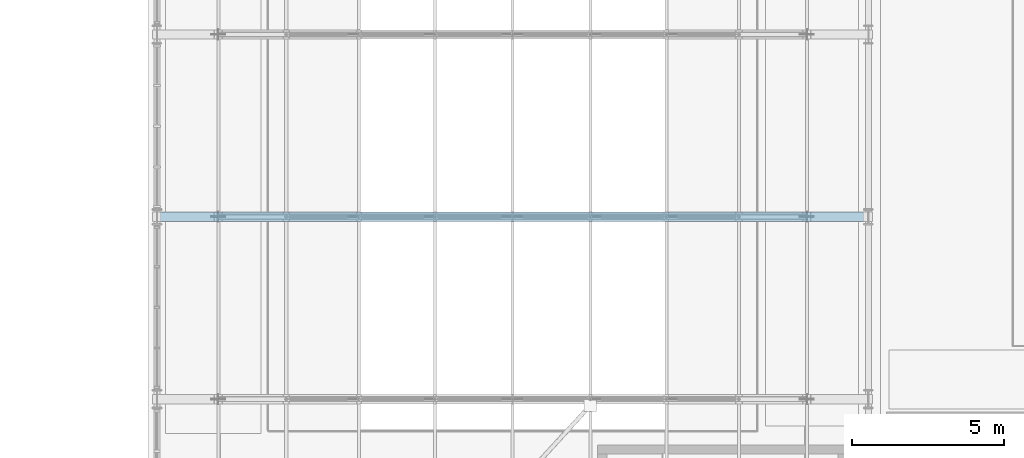
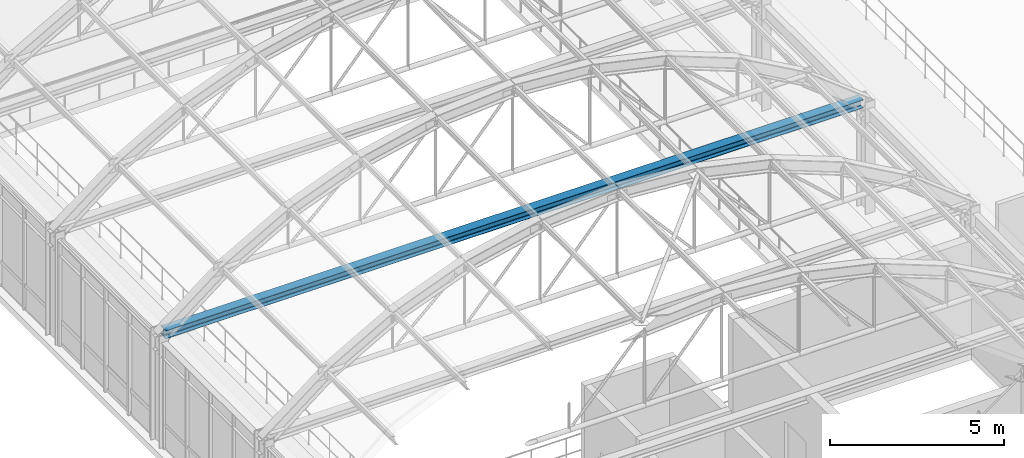
# One storey, part 43 of 148: 1 beam.
"""IFC4 building model written with IfcOpenShell, lengths in metres."""

from ifc_helpers import new_model, si_unit, direction, frame, origin, origin_2d, place, context, subcontext, project, spatial, i_section, extrude, material, material_profile, profile_set, type_object, element, save


model = new_model("IFC4")

# Units and contexts
model_context = context("Model", 3, precision=1e-05, world=origin(), true_north=direction((0.0, 1.0)))
body_context = subcontext(model_context, "Body", "Model", "MODEL_VIEW")
ifc_project = project(units=[si_unit("LENGTHUNIT", "METRE"), si_unit("AREAUNIT", "SQUARE_METRE"), si_unit("VOLUMEUNIT", "CUBIC_METRE"), si_unit("PLANEANGLEUNIT", "RADIAN"), si_unit("MASSUNIT", "GRAM", prefix="KILO"), si_unit("THERMODYNAMICTEMPERATUREUNIT", "KELVIN"), si_unit("POWERUNIT", "WATT")], contexts=[model_context])

# Site, building, storey
site_placement = place(None, origin())
site = spatial("IfcSite", under=ifc_project, at=site_placement, CompositionType="ELEMENT")
building_placement = place(site_placement, origin())
building = spatial("IfcBuilding", under=site, at=building_placement, Name="Solvatero Civic Police Headquarters", CompositionType="ELEMENT")
storey_placement = place(building_placement, frame((0.0, 0.0, 5.10009765625)))
storey = spatial("IfcBuildingStorey", under=building, at=storey_placement, Name="L01", CompositionType="ELEMENT", Elevation=5.10009765625)

# Beam
ifc_material = material(Name="Steel S355", Category="steel")
ifc_material_profile = material_profile(ifc_material, i_section(OverallWidth=0.300048828125, OverallDepth=0.2900390625, WebThickness=0.008544921875, FlangeThickness=0.013916015625, FilletRadius=0.027099609375, at=origin_2d()), Name="HEA 300")
ifc_profile_set = profile_set([ifc_material_profile], Name="Steel S355")
beam_type = type_object("IfcBeamType", Name="BM-ST-HEA300", PredefinedType="SPANDREL", material=ifc_profile_set)
beam_placement = place(storey_placement, frame((98.919921875, 22.800048828125, 3.81884765625), z_axis=(1.0, 0.0, 0.0), x_axis=(0.0, 1.0, 0.0)))
element("IfcBeam", 1, at=beam_placement, inside=storey, type_object=beam_type, Name="VLT1 Barrel Vault Springing Tie Beam F4", PredefinedType="SPANDREL", context=body_context, shape_type="SweptSolid", body=[
    extrude(i_section(OverallWidth=0.300048828125, OverallDepth=0.2900390625, WebThickness=0.008544921875, FlangeThickness=0.013916015625, FilletRadius=0.027099609375, at=origin_2d()), origin(), (0.0, 0.0, 1.0), 23.1201171875),
])

save(model, "model.ifc")
